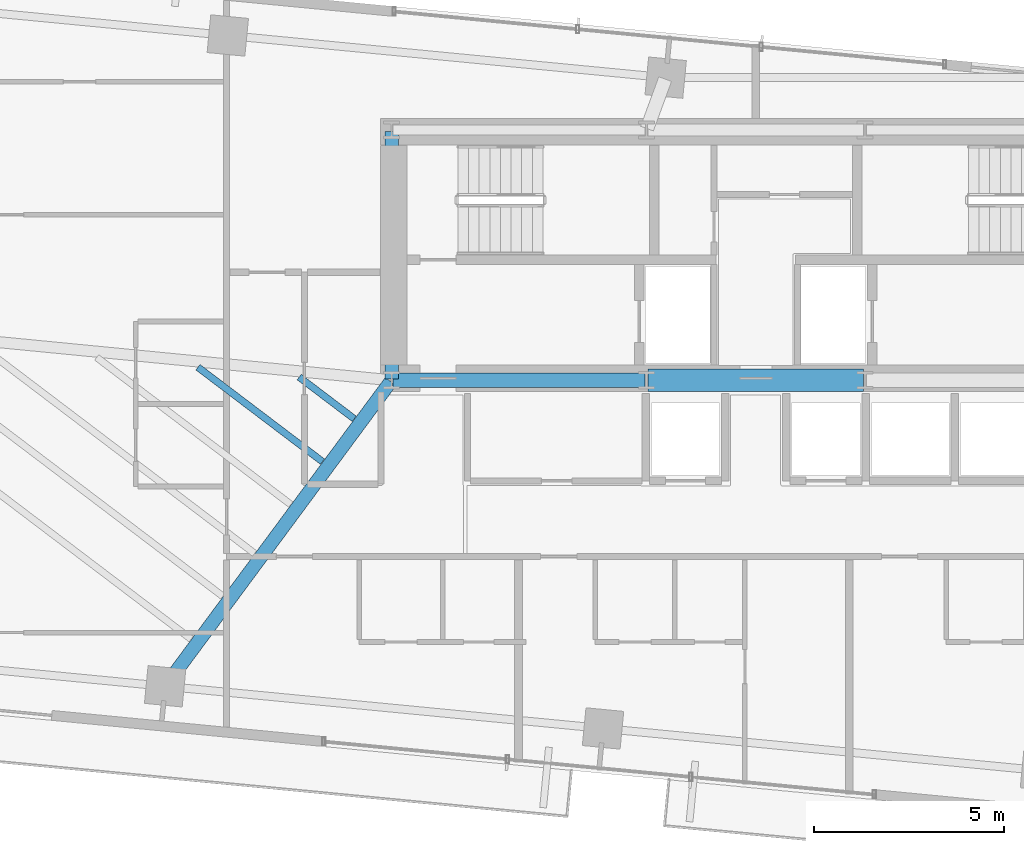
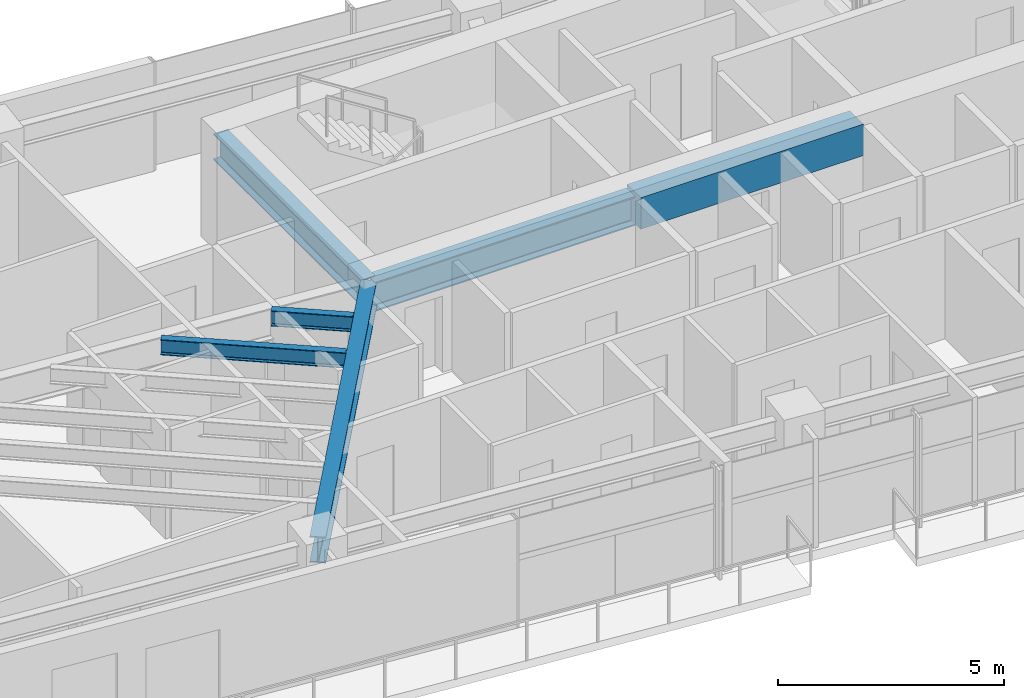
# One storey, part 5 of 19: 6 beams.
"""IFC4 building model written with IfcOpenShell, lengths in metres."""

from ifc_helpers import new_model, si_unit, direction, frame, origin, origin_2d, place, context, subcontext, project, spatial, rectangle, i_section, extrude, source, transform, mapped, material, material_profile, profile_set, type_object, type_shapes, element, save


model = new_model("IFC4")

# Units and contexts
model_context = context("Model", 3, precision=1e-05, world=origin(), true_north=direction((0.0, 1.0)))
body_context = subcontext(model_context, "Body", "Model", "MODEL_VIEW")
ifc_project = project(units=[si_unit("LENGTHUNIT", "METRE"), si_unit("AREAUNIT", "SQUARE_METRE"), si_unit("VOLUMEUNIT", "CUBIC_METRE"), si_unit("PLANEANGLEUNIT", "RADIAN"), si_unit("MASSUNIT", "GRAM", prefix="KILO")], contexts=[model_context])

# Site, building, storey
site_placement = place(None, origin())
site = spatial("IfcSite", under=ifc_project, at=site_placement, CompositionType="ELEMENT")
building_placement = place(site_placement, origin())
building = spatial("IfcBuilding", under=site, at=building_placement, Name="Astriad Promenade Condominiums", CompositionType="ELEMENT")
storey_placement = place(building_placement, frame((0.0, 0.0, 143.800048828125)))
storey = spatial("IfcBuildingStorey", under=building, at=storey_placement, Name="L41", CompositionType="ELEMENT", Elevation=143.800048828125)

# Beams
ifc_material_1 = material(Name="Steel ASTM A992 Grade 50", Category="steel")
ifc_material_profile_1 = material_profile(ifc_material_1, i_section(OverallWidth=0.3837890625, OverallDepth=0.785888671875, WebThickness=0.019775390625, FlangeThickness=0.033447265625, FilletRadius=0.021484375, at=origin_2d()), Name="W30X211")
ifc_profile_set_1 = profile_set([ifc_material_profile_1], Name="Steel ASTM A992 Grade 50")
beam_type_1 = type_object("IfcBeamType", Name="STEEL FLOOR GIRDER W30X211", PredefinedType="BEAM", material=ifc_profile_set_1)
shared_shape_1 = source(origin(), body_context, "Body", "SweptSolid", [
    extrude(i_section(OverallWidth=0.3837890625, OverallDepth=0.785888671875, WebThickness=0.019775390625, FlangeThickness=0.033447265625, FilletRadius=0.021484375, at=origin_2d()), origin(), (0.0, 0.0, 1.0), 6.64013671875),
])
type_shapes(beam_type_1, [shared_shape_1])
beam_1_placement = place(storey_placement, frame((26.43994140625, 17.39990234375, 2.546875), z_axis=(1.0, 0.0, 0.0), x_axis=(0.0, 1.0, 0.0)))
element("IfcBeam", 1, at=beam_1_placement, inside=storey, type_object=beam_type_1, Name="Core Ring Beam CG-S1-L41", PredefinedType="BEAM", context=body_context, shape_type="MappedRepresentation", body=[
    mapped(shared_shape_1, transform((0.0, 0.0, 0.0), scale=1.0)),
])
ifc_material_profile_2 = material_profile(ifc_material_1, i_section(OverallWidth=0.35791015625, OverallDepth=0.706298828125, WebThickness=0.018310546875, FlangeThickness=0.0302734375, FilletRadius=0.020263671875, at=origin_2d()), Name="W27X178")
ifc_profile_set_2 = profile_set([ifc_material_profile_2], Name="Steel ASTM A992 Grade 50")
beam_type_2 = type_object("IfcBeamType", Name="STEEL FLOOR GIRDER W27X178", PredefinedType="BEAM", material=ifc_profile_set_2)
shared_shape_2 = source(origin(), body_context, "Body", "SweptSolid", [
    extrude(i_section(OverallWidth=0.35791015625, OverallDepth=0.706298828125, WebThickness=0.018310546875, FlangeThickness=0.0302734375, FilletRadius=0.020263671875, at=origin_2d()), origin(), (0.0, 0.0, 1.0), 6.52001953125),
])
beam_2_placement = place(storey_placement, frame((26.39990234375, 17.43994140625, 2.586669921875), z_axis=(0.0, 1.0, 0.0), x_axis=(-1.0, 0.0, 0.0)))
element("IfcBeam", 2, at=beam_2_placement, inside=storey, type_object=beam_type_2, Name="Core Ring Beam CG-W1-L41", PredefinedType="BEAM", context=body_context, shape_type="MappedRepresentation", body=[
    mapped(shared_shape_2, transform((0.0, 0.0, 0.0), scale=1.0)),
])
shared_shape_3 = source(origin(), body_context, "Body", "SweptSolid", [
    extrude(i_section(OverallWidth=0.35791015625, OverallDepth=0.706298828125, WebThickness=0.018310546875, FlangeThickness=0.0302734375, FilletRadius=0.020263671875, at=origin_2d()), origin(), (0.0, 0.0, 1.0), 9.958984375),
])
type_shapes(beam_type_2, [shared_shape_2, shared_shape_3])
beam_3_placement = place(storey_placement, frame((20.450927734375, 9.363525390625, 2.586669921875), z_axis=(0.59497542442, 0.803743892255, 0.0), x_axis=(-0.803743892255, 0.59497542442, 0.0)))
element("IfcBeam", 3, at=beam_3_placement, inside=storey, type_object=beam_type_2, Name="Primary Floor Girder PG-W2-L41", PredefinedType="BEAM", context=body_context, shape_type="MappedRepresentation", body=[
    mapped(shared_shape_3, transform((0.0, 0.0, 0.0), scale=1.0)),
])
ifc_material_profile_3 = material_profile(ifc_material_1, i_section(OverallWidth=0.180908203125, OverallDepth=0.417236328125, WebThickness=0.010986328125, FlangeThickness=0.018310546875, FilletRadius=0.013916015625, at=origin_2d()), Name="W16X57")
ifc_profile_set_3 = profile_set([ifc_material_profile_3], Name="Steel ASTM A992 Grade 50")
beam_type_3 = type_object("IfcBeamType", Name="STEEL FLOOR JOIST W16X57", PredefinedType="JOIST", material=ifc_profile_set_3)
shared_shape_4 = source(origin(), body_context, "Body", "SweptSolid", [
    extrude(i_section(OverallWidth=0.180908203125, OverallDepth=0.417236328125, WebThickness=0.010986328125, FlangeThickness=0.018310546875, FilletRadius=0.013916015625, at=origin_2d()), origin(), (0.0, 0.0, 1.0), 4.12109375),
])
beam_4_placement = place(storey_placement, frame((21.292724609375, 17.744140625, 2.7314453125), z_axis=(0.796968568798, -0.604020778077, 0.0), x_axis=(0.604020778077, 0.796968568798, 0.0)))
element("IfcBeam", 4, at=beam_4_placement, inside=storey, type_object=beam_type_3, Name="Secondary Composite Floor Joist JW1-5-L41", PredefinedType="JOIST", context=body_context, shape_type="MappedRepresentation", body=[
    mapped(shared_shape_4, transform((0.0, 0.0, 0.0), scale=1.0)),
])
shared_shape_5 = source(origin(), body_context, "Body", "SweptSolid", [
    extrude(i_section(OverallWidth=0.180908203125, OverallDepth=0.417236328125, WebThickness=0.010986328125, FlangeThickness=0.018310546875, FilletRadius=0.013916015625, at=origin_2d()), origin(), (0.0, 0.0, 1.0), 1.82177734375),
])
type_shapes(beam_type_3, [shared_shape_4, shared_shape_5])
beam_5_placement = place(storey_placement, frame((23.96142578125, 17.48486328125, 2.7314453125), z_axis=(0.796982671853, -0.604002169504, 0.0), x_axis=(0.604002169504, 0.796982671853, 0.0)))
element("IfcBeam", 5, at=beam_5_placement, inside=storey, type_object=beam_type_3, Name="Secondary Composite Floor Joist JW1-6-L41", PredefinedType="JOIST", context=body_context, shape_type="MappedRepresentation", body=[
    mapped(shared_shape_5, transform((0.0, 0.0, 0.0), scale=1.0)),
])
ifc_material_2 = material(Name="Concrete C60/75", Category="concrete")
ifc_material_profile_4 = material_profile(ifc_material_2, rectangle(XDim=0.60009765625, YDim=0.85009765625, at=origin_2d()), Name="RC-BM-600X850")
ifc_profile_set_4 = profile_set([ifc_material_profile_4], Name="Concrete C60/75")
beam_type_4 = type_object("IfcBeamType", Name="CONCRETE CORE COUPLING LINTEL 600X850", PredefinedType="LINTEL", material=ifc_profile_set_4)
shared_shape_6 = source(origin(), body_context, "Body", "SweptSolid", [
    extrude(rectangle(XDim=0.60009765625, YDim=0.85009765625, at=origin_2d()), origin(), (0.0, 0.0, 1.0), 5.68017578125),
])
type_shapes(beam_type_4, [shared_shape_6])
beam_6_placement = place(storey_placement, frame((33.159912109375, 17.39990234375, 2.514892578125), z_axis=(1.0, 0.0, 0.0), x_axis=(0.0, 1.0, 0.0)))
element("IfcBeam", 6, at=beam_6_placement, inside=storey, type_object=beam_type_4, Name="Core Ring Beam CG-S2-L41", PredefinedType="LINTEL", context=body_context, shape_type="MappedRepresentation", body=[
    mapped(shared_shape_6, transform((0.0, 0.0, 0.0), scale=1.0)),
])

save(model, "model.ifc")
